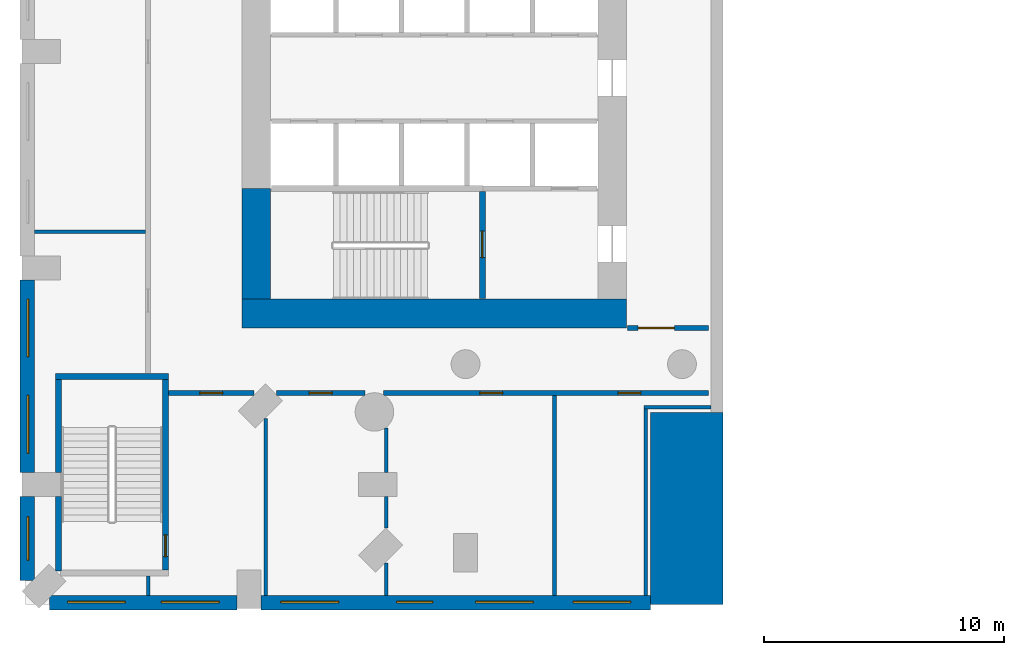
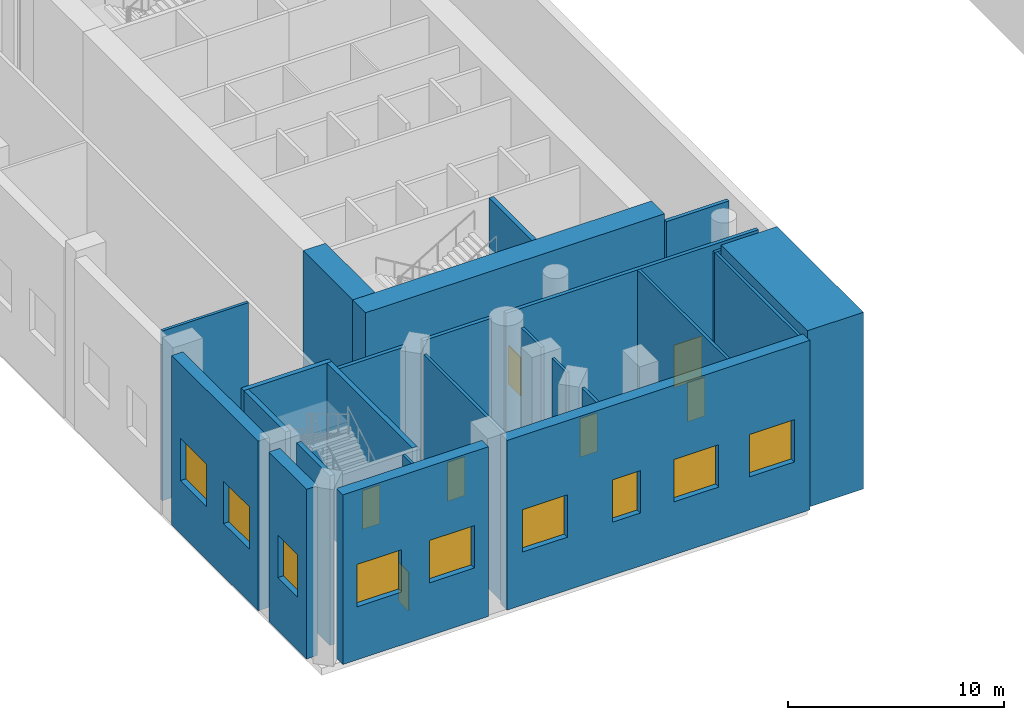
# One storey, part 2 of 17: 25 walls, 9 windows, 7 doors, 16 openings.
"""IFC4 building model written with IfcOpenShell, lengths in metres."""

from ifc_helpers import new_model, si_unit, direction, frame, frame_2d, origin, place, context, subcontext, project, spatial, rectangle, extrude, material, layer, layer_set, type_object, element, fill, save


model = new_model("IFC4")

# Units and contexts
model_context = context("Model", 3, precision=1e-05, world=origin(), true_north=direction((0.0, 1.0)))
body_context = subcontext(model_context, "Body", "Model", "MODEL_VIEW")
ifc_project = project(units=[si_unit("LENGTHUNIT", "METRE"), si_unit("AREAUNIT", "SQUARE_METRE"), si_unit("VOLUMEUNIT", "CUBIC_METRE"), si_unit("PLANEANGLEUNIT", "RADIAN"), si_unit("MASSUNIT", "GRAM", prefix="KILO")], contexts=[model_context])

# Site, building, storey
site_placement = place(None, origin())
site = spatial("IfcSite", under=ifc_project, at=site_placement, CompositionType="ELEMENT")
building_placement = place(site_placement, origin())
building = spatial("IfcBuilding", under=site, at=building_placement, Name="Cypress Arch Tower", CompositionType="ELEMENT")
storey_placement = place(building_placement, frame((0.0, 0.0, 19.0)))
storey = spatial("IfcBuildingStorey", under=building, at=storey_placement, Name="L02", CompositionType="ELEMENT", Elevation=19.0)

# Wall, openings, windows
ifc_material_1 = material(Name="Brick (red buff blend) on blockwork backing", Category="masonry")
ifc_layer_1 = layer(ifc_material_1, 0.60009765625)
ifc_layer_set_1 = layer_set([ifc_layer_1], Name="Brick base wall BW600")
wall_type_1 = type_object("IfcWallType", Name="Brick base wall BW600", PredefinedType="ELEMENTEDWALL", material=ifc_layer_set_1)
wall_1_placement = place(storey_placement, frame((-37.992919921875, -27.425048828125, 0.0), z_axis=(0.0, 0.0, 1.0), x_axis=(1.0, 0.0, 0.0)))
wall_1 = element("IfcWall", 1, at=wall_1_placement, inside=storey, type_object=wall_type_1, Name="Brick wall L02 P00.0", PredefinedType="ELEMENTEDWALL", context=body_context, shape_type="SweptSolid", body=[
    extrude(rectangle(XDim=7.79296875, YDim=0.60009765625, at=frame_2d((3.896484375, 0.0))), origin(), (0.0, 0.0, 1.0), 9.60009765625),
])
opening_1_placement = place(wall_1_placement, frame((0.748291015625, 0.0, 3.0)))
opening_1 = element("IfcOpeningElement", 2, at=opening_1_placement, cuts=wall_1, Name="Opening W240P", PredefinedType="OPENING", context=body_context, shape_type="SweptSolid", body=[
    extrude(rectangle(XDim=2.39990234375, YDim=2.39990234375, at=frame_2d((1.199951171875, 1.199951171875))), frame((0.0, 0.31005859375, 0.0), z_axis=(0.0, -1.0, 0.0), x_axis=(1.0, 0.0, 0.0)), (0.0, 0.0, 1.0), 0.6201171875),
])
opening_2_placement = place(wall_1_placement, frame((4.644775390625, 0.0, 3.0)))
opening_2 = element("IfcOpeningElement", 3, at=opening_2_placement, cuts=wall_1, Name="Opening W240P", PredefinedType="OPENING", context=body_context, shape_type="SweptSolid", body=[
    extrude(rectangle(XDim=2.39990234375, YDim=2.39990234375, at=frame_2d((1.199951171875, 1.199951171875))), frame((0.0, 0.31005859375, 0.0), z_axis=(0.0, -1.0, 0.0), x_axis=(1.0, 0.0, 0.0)), (0.0, 0.0, 1.0), 0.6201171875),
])
ifc_material_2 = material(Name="Anodised aluminium, bronze finish, clear low-emissivity double glazing", Category="aluminium")
window_type_1 = type_object("IfcWindowType", Name="Window Podium 2400x2400", PartitioningType="SINGLE_PANEL", PredefinedType="WINDOW", material=ifc_material_2)
window_1_placement = place(opening_1_placement, origin())
window_1 = element("IfcWindow", 4, at=window_1_placement, inside=storey, type_object=window_type_1, Name="Window L02 P00.0.1", OverallHeight=2.39990234375, OverallWidth=2.39990234375, PartitioningType="SINGLE_PANEL", PredefinedType="WINDOW", context=body_context, shape_type="SweptSolid", body=[
    extrude(rectangle(XDim=2.39990234375, YDim=2.39990234375, at=frame_2d((1.199951171875, 1.199951171875))), frame((0.0, 0.06005859375, 0.0), z_axis=(0.0, -1.0, 0.0), x_axis=(1.0, 0.0, 0.0)), (0.0, 0.0, 1.0), 0.06005859375),
])
fill(opening_1, window_1)
window_2_placement = place(opening_2_placement, origin())
window_2 = element("IfcWindow", 5, at=window_2_placement, inside=storey, type_object=window_type_1, Name="Window L02 P00.0.2", OverallHeight=2.39990234375, OverallWidth=2.39990234375, PartitioningType="SINGLE_PANEL", PredefinedType="WINDOW", context=body_context, shape_type="SweptSolid", body=[
    extrude(rectangle(XDim=2.39990234375, YDim=2.39990234375, at=frame_2d((1.199951171875, 1.199951171875))), frame((0.0, 0.06005859375, 0.0), z_axis=(0.0, -1.0, 0.0), x_axis=(1.0, 0.0, 0.0)), (0.0, 0.0, 1.0), 0.06005859375),
])
fill(opening_2, window_2)

wall_2_placement = place(storey_placement, frame((-29.199951171875, -27.425048828125, 0.0), z_axis=(0.0, 0.0, 1.0), x_axis=(1.0, 0.0, 0.0)))
wall_2 = element("IfcWall", 6, at=wall_2_placement, inside=storey, type_object=wall_type_1, Name="Brick wall L02 P00.1", PredefinedType="ELEMENTEDWALL", context=body_context, shape_type="SweptSolid", body=[
    extrude(rectangle(XDim=16.199951171875, YDim=0.60009765625, at=frame_2d((8.10009765625, 0.0))), origin(), (0.0, 0.0, 1.0), 9.60009765625),
])
opening_3_placement = place(wall_2_placement, frame((0.824951171875, 0.0, 3.0)))
opening_3 = element("IfcOpeningElement", 7, at=opening_3_placement, cuts=wall_2, Name="Opening W240P", PredefinedType="OPENING", context=body_context, shape_type="SweptSolid", body=[
    extrude(rectangle(XDim=2.39990234375, YDim=2.39990234375, at=frame_2d((1.199951171875, 1.199951171875))), frame((0.0, 0.31005859375, 0.0), z_axis=(0.0, -1.0, 0.0), x_axis=(1.0, 0.0, 0.0)), (0.0, 0.0, 1.0), 0.6201171875),
])
opening_4_placement = place(wall_2_placement, frame((8.925048828125, 0.0, 3.0)))
opening_4 = element("IfcOpeningElement", 8, at=opening_4_placement, cuts=wall_2, Name="Opening W240P", PredefinedType="OPENING", context=body_context, shape_type="SweptSolid", body=[
    extrude(rectangle(XDim=2.39990234375, YDim=2.39990234375, at=frame_2d((1.199951171875, 1.199951171875))), frame((0.0, 0.31005859375, 0.0), z_axis=(0.0, -1.0, 0.0), x_axis=(1.0, 0.0, 0.0)), (0.0, 0.0, 1.0), 0.6201171875),
])
opening_5_placement = place(wall_2_placement, frame((12.97509765625, 0.0, 3.0)))
opening_5 = element("IfcOpeningElement", 9, at=opening_5_placement, cuts=wall_2, Name="Opening W240P", PredefinedType="OPENING", context=body_context, shape_type="SweptSolid", body=[
    extrude(rectangle(XDim=2.39990234375, YDim=2.39990234375, at=frame_2d((1.199951171875, 1.199951171875))), frame((0.0, 0.31005859375, 0.0), z_axis=(0.0, -1.0, 0.0), x_axis=(1.0, 0.0, 0.0)), (0.0, 0.0, 1.0), 0.6201171875),
])
opening_6_placement = place(wall_2_placement, frame((5.637451171875, 0.0, 3.0)))
opening_6 = element("IfcOpeningElement", 10, at=opening_6_placement, cuts=wall_2, Name="Opening W150P", PredefinedType="OPENING", context=body_context, shape_type="SweptSolid", body=[
    extrude(rectangle(XDim=1.5, YDim=2.39990234375, at=frame_2d((0.75, 1.199951171875))), frame((0.0, 0.31005859375, 0.0), z_axis=(0.0, -1.0, 0.0), x_axis=(1.0, 0.0, 0.0)), (0.0, 0.0, 1.0), 0.6201171875),
])
ifc_material_3 = material(Name="Anodised aluminium, bronze finish, clear low-emissivity double glazing", Category="aluminium")
window_type_2 = type_object("IfcWindowType", Name="Window Podium 1500x2400", PartitioningType="SINGLE_PANEL", PredefinedType="WINDOW", material=ifc_material_3)
window_3_placement = place(opening_6_placement, origin())
window_3 = element("IfcWindow", 11, at=window_3_placement, inside=storey, type_object=window_type_2, Name="Window L02 P00.1.2", OverallHeight=2.39990234375, OverallWidth=1.5, PartitioningType="SINGLE_PANEL", PredefinedType="WINDOW", context=body_context, shape_type="SweptSolid", body=[
    extrude(rectangle(XDim=1.5, YDim=2.39990234375, at=frame_2d((0.75, 1.199951171875))), frame((0.0, 0.06005859375, 0.0), z_axis=(0.0, -1.0, 0.0), x_axis=(1.0, 0.0, 0.0)), (0.0, 0.0, 1.0), 0.06005859375),
])
fill(opening_6, window_3)
window_4_placement = place(opening_3_placement, origin())
window_4 = element("IfcWindow", 12, at=window_4_placement, inside=storey, type_object=window_type_1, Name="Window L02 P00.1.1", OverallHeight=2.39990234375, OverallWidth=2.39990234375, PartitioningType="SINGLE_PANEL", PredefinedType="WINDOW", context=body_context, shape_type="SweptSolid", body=[
    extrude(rectangle(XDim=2.39990234375, YDim=2.39990234375, at=frame_2d((1.199951171875, 1.199951171875))), frame((0.0, 0.06005859375, 0.0), z_axis=(0.0, -1.0, 0.0), x_axis=(1.0, 0.0, 0.0)), (0.0, 0.0, 1.0), 0.06005859375),
])
fill(opening_3, window_4)
window_5_placement = place(opening_4_placement, origin())
window_5 = element("IfcWindow", 13, at=window_5_placement, inside=storey, type_object=window_type_1, Name="Window L02 P00.1.3", OverallHeight=2.39990234375, OverallWidth=2.39990234375, PartitioningType="SINGLE_PANEL", PredefinedType="WINDOW", context=body_context, shape_type="SweptSolid", body=[
    extrude(rectangle(XDim=2.39990234375, YDim=2.39990234375, at=frame_2d((1.199951171875, 1.199951171875))), frame((0.0, 0.06005859375, 0.0), z_axis=(0.0, -1.0, 0.0), x_axis=(1.0, 0.0, 0.0)), (0.0, 0.0, 1.0), 0.06005859375),
])
fill(opening_4, window_5)
window_6_placement = place(opening_5_placement, origin())
window_6 = element("IfcWindow", 14, at=window_6_placement, inside=storey, type_object=window_type_1, Name="Window L02 P00.1.4", OverallHeight=2.39990234375, OverallWidth=2.39990234375, PartitioningType="SINGLE_PANEL", PredefinedType="WINDOW", context=body_context, shape_type="SweptSolid", body=[
    extrude(rectangle(XDim=2.39990234375, YDim=2.39990234375, at=frame_2d((1.199951171875, 1.199951171875))), frame((0.0, 0.06005859375, 0.0), z_axis=(0.0, -1.0, 0.0), x_axis=(1.0, 0.0, 0.0)), (0.0, 0.0, 1.0), 0.06005859375),
])
fill(opening_5, window_6)

wall_3_placement = place(storey_placement, frame((-38.925048828125, -14.0, 0.0), z_axis=(0.0, 0.0, 1.0), x_axis=(0.0, -1.0, 0.0)))
wall_3 = element("IfcWall", 15, at=wall_3_placement, inside=storey, type_object=wall_type_1, Name="Brick wall L02 P04.5", PredefinedType="ELEMENTEDWALL", context=body_context, shape_type="SweptSolid", body=[
    extrude(rectangle(XDim=8.0, YDim=0.60009765625, at=frame_2d((4.0, 0.0))), origin(), (0.0, 0.0, 1.0), 9.60009765625),
])
opening_7_placement = place(wall_3_placement, frame((0.800048828125, 0.0, 3.0)))
opening_7 = element("IfcOpeningElement", 16, at=opening_7_placement, cuts=wall_3, Name="Opening W240P", PredefinedType="OPENING", context=body_context, shape_type="SweptSolid", body=[
    extrude(rectangle(XDim=2.39990234375, YDim=2.39990234375, at=frame_2d((1.199951171875, 1.199951171875))), frame((0.0, 0.31005859375, 0.0), z_axis=(0.0, -1.0, 0.0), x_axis=(1.0, 0.0, 0.0)), (0.0, 0.0, 1.0), 0.6201171875),
])
opening_8_placement = place(wall_3_placement, frame((4.800048828125, 0.0, 3.0)))
opening_8 = element("IfcOpeningElement", 17, at=opening_8_placement, cuts=wall_3, Name="Opening W240P", PredefinedType="OPENING", context=body_context, shape_type="SweptSolid", body=[
    extrude(rectangle(XDim=2.39990234375, YDim=2.39990234375, at=frame_2d((1.199951171875, 1.199951171875))), frame((0.0, 0.31005859375, 0.0), z_axis=(0.0, -1.0, 0.0), x_axis=(1.0, 0.0, 0.0)), (0.0, 0.0, 1.0), 0.6201171875),
])
window_7_placement = place(opening_7_placement, origin())
window_7 = element("IfcWindow", 18, at=window_7_placement, inside=storey, type_object=window_type_1, Name="Window L02 P04.5.1", OverallHeight=2.39990234375, OverallWidth=2.39990234375, PartitioningType="SINGLE_PANEL", PredefinedType="WINDOW", context=body_context, shape_type="SweptSolid", body=[
    extrude(rectangle(XDim=2.39990234375, YDim=2.39990234375, at=frame_2d((1.199951171875, 1.199951171875))), frame((0.0, 0.06005859375, 0.0), z_axis=(0.0, -1.0, 0.0), x_axis=(1.0, 0.0, 0.0)), (0.0, 0.0, 1.0), 0.06005859375),
])
fill(opening_7, window_7)
window_8_placement = place(opening_8_placement, origin())
window_8 = element("IfcWindow", 19, at=window_8_placement, inside=storey, type_object=window_type_1, Name="Window L02 P04.5.2", OverallHeight=2.39990234375, OverallWidth=2.39990234375, PartitioningType="SINGLE_PANEL", PredefinedType="WINDOW", context=body_context, shape_type="SweptSolid", body=[
    extrude(rectangle(XDim=2.39990234375, YDim=2.39990234375, at=frame_2d((1.199951171875, 1.199951171875))), frame((0.0, 0.06005859375, 0.0), z_axis=(0.0, -1.0, 0.0), x_axis=(1.0, 0.0, 0.0)), (0.0, 0.0, 1.0), 0.06005859375),
])
fill(opening_8, window_8)

# Wall, opening, window
wall_4_placement = place(storey_placement, frame((-38.925048828125, -23.0, 0.0), z_axis=(0.0, 0.0, 1.0), x_axis=(0.0, -1.0, 0.0)))
wall_4 = element("IfcWall", 20, at=wall_4_placement, inside=storey, type_object=wall_type_1, Name="Brick wall L02 P04.6", PredefinedType="ELEMENTEDWALL", context=body_context, shape_type="SweptSolid", body=[
    extrude(rectangle(XDim=3.492919921875, YDim=0.60009765625, at=frame_2d((1.74658203125, 0.0))), origin(), (0.0, 0.0, 1.0), 9.60009765625),
])
opening_9_placement = place(wall_4_placement, frame((0.846435546875, 0.0, 3.0)))
opening_9 = element("IfcOpeningElement", 21, at=opening_9_placement, cuts=wall_4, Name="Opening W180P", PredefinedType="OPENING", context=body_context, shape_type="SweptSolid", body=[
    extrude(rectangle(XDim=1.800048828125, YDim=2.39990234375, at=frame_2d((0.89990234375, 1.199951171875))), frame((0.0, 0.31005859375, 0.0), z_axis=(0.0, -1.0, 0.0), x_axis=(1.0, 0.0, 0.0)), (0.0, 0.0, 1.0), 0.6201171875),
])
ifc_material_4 = material(Name="Anodised aluminium, bronze finish, clear low-emissivity double glazing", Category="aluminium")
window_type_3 = type_object("IfcWindowType", Name="Window Podium 1800x2400", PartitioningType="SINGLE_PANEL", PredefinedType="WINDOW", material=ifc_material_4)
window_9_placement = place(opening_9_placement, origin())
window_9 = element("IfcWindow", 22, at=window_9_placement, inside=storey, type_object=window_type_3, Name="Window L02 P04.6.1", OverallHeight=2.39990234375, OverallWidth=1.800048828125, PartitioningType="SINGLE_PANEL", PredefinedType="WINDOW", context=body_context, shape_type="SweptSolid", body=[
    extrude(rectangle(XDim=1.800048828125, YDim=2.39990234375, at=frame_2d((0.89990234375, 1.199951171875))), frame((0.0, 0.06005859375, 0.0), z_axis=(0.0, -1.0, 0.0), x_axis=(1.0, 0.0, 0.0)), (0.0, 0.0, 1.0), 0.06005859375),
])
fill(opening_9, window_9)

# Walls
ifc_material_5 = material(Name="Concrete C80/95", Category="concrete")
ifc_layer_2 = layer(ifc_material_5, 1.199951171875)
ifc_layer_set_2 = layer_set([ifc_layer_2], Name="Core wall CW1200 C80/95")
wall_type_2 = type_object("IfcWallType", Name="Core wall CW1200 C80/95", PredefinedType="SHEAR", material=ifc_layer_set_2)
wall_5_placement = place(storey_placement, frame((-30.0, -15.39990234375, 0.0), z_axis=(0.0, 0.0, 1.0), x_axis=(1.0, 0.0, 0.0)))
element("IfcWall", 23, at=wall_5_placement, inside=storey, type_object=wall_type_2, Name="Core wall", PredefinedType="SHEAR", context=body_context, shape_type="SweptSolid", body=[
    extrude(rectangle(XDim=16.0, YDim=1.199951171875, at=frame_2d((8.0, 0.0))), origin(), (0.0, 0.0, 1.0), 10.0),
])
wall_6_placement = place(storey_placement, frame((-29.39990234375, -14.800048828125, 0.0), z_axis=(0.0, 0.0, 1.0), x_axis=(0.0, 1.0, 0.0)))
element("IfcWall", 24, at=wall_6_placement, inside=storey, type_object=wall_type_2, Name="Core wall", PredefinedType="SHEAR", context=body_context, shape_type="SweptSolid", body=[
    extrude(rectangle(XDim=4.60009765625, YDim=1.199951171875, at=frame_2d((2.300048828125, 0.0))), origin(), (0.0, 0.0, 1.0), 10.0),
])

# Wall, opening, door
ifc_material_6 = material(Name="Concrete blockwork, plastered, rated", Category="masonry")
ifc_layer_3 = layer(ifc_material_6, 0.199951171875)
ifc_layer_set_3 = layer_set([ifc_layer_3], Name="Corridor wall FW200")
wall_type_3 = type_object("IfcWallType", Name="Corridor wall FW200", PredefinedType="PARTITIONING", material=ifc_layer_set_3)
wall_7_placement = place(storey_placement, frame((-33.050048828125, -18.699951171875, 0.0), z_axis=(0.0, 0.0, 1.0), x_axis=(1.0, 0.0, 0.0)))
wall_7 = element("IfcWall", 25, at=wall_7_placement, inside=storey, type_object=wall_type_3, Name="Corridor wall", PredefinedType="PARTITIONING", context=body_context, shape_type="SweptSolid", body=[
    extrude(rectangle(XDim=3.56298828125, YDim=0.199951171875, at=frame_2d((1.781494140625, 0.0))), origin(), (0.0, 0.0, 1.0), 9.597900390625),
])
opening_10_placement = place(wall_7_placement, frame((1.300048828125, 0.0, 0.0)))
opening_10 = element("IfcOpeningElement", 26, at=opening_10_placement, cuts=wall_7, Name="Opening D02", PredefinedType="OPENING", context=body_context, shape_type="SweptSolid", body=[
    extrude(rectangle(XDim=0.949951171875, YDim=2.199951171875, at=frame_2d((0.47509765625, 1.10009765625))), frame((0.0, 0.10986328125, 0.0), z_axis=(0.0, -1.0, 0.0), x_axis=(1.0, 0.0, 0.0)), (0.0, 0.0, 1.0), 0.219970703125),
])
ifc_material_7 = material(Name="Timber flush door, fire resisting", Category="wood")
door_type_1 = type_object("IfcDoorType", Name="Room door D02 950x2200", OperationType="SINGLE_SWING_LEFT", PredefinedType="DOOR", material=ifc_material_7)
door_1_placement = place(opening_10_placement, origin())
door_1 = element("IfcDoor", 27, at=door_1_placement, inside=storey, type_object=door_type_1, Name="Room door", OperationType="SINGLE_SWING_LEFT", OverallHeight=2.199951171875, OverallWidth=0.949951171875, PredefinedType="DOOR", context=body_context, shape_type="SweptSolid", body=[
    extrude(rectangle(XDim=0.949951171875, YDim=2.199951171875, at=frame_2d((0.47509765625, 1.10009765625))), frame((0.0, 0.02490234375, 0.0), z_axis=(0.0, -1.0, 0.0), x_axis=(1.0, 0.0, 0.0)), (0.0, 0.0, 1.0), 0.050048828125),
])
fill(opening_10, door_1)

wall_8_placement = place(storey_placement, frame((-28.550048828125, -18.699951171875, 0.0), z_axis=(0.0, 0.0, 1.0), x_axis=(1.0, 0.0, 0.0)))
wall_8 = element("IfcWall", 28, at=wall_8_placement, inside=storey, type_object=wall_type_3, Name="Corridor wall", PredefinedType="PARTITIONING", context=body_context, shape_type="SweptSolid", body=[
    extrude(rectangle(XDim=3.678955078125, YDim=0.199951171875, at=frame_2d((1.83935546875, 0.0))), origin(), (0.0, 0.0, 1.0), 9.597900390625),
])
opening_11_placement = place(wall_8_placement, frame((1.35009765625, 0.0, 0.0)))
opening_11 = element("IfcOpeningElement", 29, at=opening_11_placement, cuts=wall_8, Name="Opening D02", PredefinedType="OPENING", context=body_context, shape_type="SweptSolid", body=[
    extrude(rectangle(XDim=0.949951171875, YDim=2.199951171875, at=frame_2d((0.47509765625, 1.10009765625))), frame((0.0, 0.10986328125, 0.0), z_axis=(0.0, -1.0, 0.0), x_axis=(1.0, 0.0, 0.0)), (0.0, 0.0, 1.0), 0.219970703125),
])
door_2_placement = place(opening_11_placement, origin())
door_2 = element("IfcDoor", 30, at=door_2_placement, inside=storey, type_object=door_type_1, Name="Room door", OperationType="SINGLE_SWING_LEFT", OverallHeight=2.199951171875, OverallWidth=0.949951171875, PredefinedType="DOOR", context=body_context, shape_type="SweptSolid", body=[
    extrude(rectangle(XDim=0.949951171875, YDim=2.199951171875, at=frame_2d((0.47509765625, 1.10009765625))), frame((0.0, 0.02490234375, 0.0), z_axis=(0.0, -1.0, 0.0), x_axis=(1.0, 0.0, 0.0)), (0.0, 0.0, 1.0), 0.050048828125),
])
fill(opening_11, door_2)

# Wall, openings, doors
wall_9_placement = place(storey_placement, frame((-24.104736328125, -18.699951171875, 0.0), z_axis=(0.0, 0.0, 1.0), x_axis=(1.0, 0.0, 0.0)))
wall_9 = element("IfcWall", 31, at=wall_9_placement, inside=storey, type_object=wall_type_3, Name="Corridor wall", PredefinedType="PARTITIONING", context=body_context, shape_type="SweptSolid", body=[
    extrude(rectangle(XDim=13.504638671875, YDim=0.199951171875, at=frame_2d((6.75244140625, 0.0))), origin(), (0.0, 0.0, 1.0), 9.597900390625),
])
opening_12_placement = place(wall_9_placement, frame((4.0, 0.0, 0.0)))
opening_12 = element("IfcOpeningElement", 32, at=opening_12_placement, cuts=wall_9, Name="Opening D02", PredefinedType="OPENING", context=body_context, shape_type="SweptSolid", body=[
    extrude(rectangle(XDim=0.949951171875, YDim=2.199951171875, at=frame_2d((0.47509765625, 1.10009765625))), frame((0.0, 0.10986328125, 0.0), z_axis=(0.0, -1.0, 0.0), x_axis=(1.0, 0.0, 0.0)), (0.0, 0.0, 1.0), 0.219970703125),
])
opening_13_placement = place(wall_9_placement, frame((9.75, 0.0, 0.0)))
opening_13 = element("IfcOpeningElement", 33, at=opening_13_placement, cuts=wall_9, Name="Opening D02", PredefinedType="OPENING", context=body_context, shape_type="SweptSolid", body=[
    extrude(rectangle(XDim=0.949951171875, YDim=2.199951171875, at=frame_2d((0.47509765625, 1.10009765625))), frame((0.0, 0.10986328125, 0.0), z_axis=(0.0, -1.0, 0.0), x_axis=(1.0, 0.0, 0.0)), (0.0, 0.0, 1.0), 0.219970703125),
])
door_3_placement = place(opening_12_placement, origin())
door_3 = element("IfcDoor", 34, at=door_3_placement, inside=storey, type_object=door_type_1, Name="Room door", OperationType="SINGLE_SWING_LEFT", OverallHeight=2.199951171875, OverallWidth=0.949951171875, PredefinedType="DOOR", context=body_context, shape_type="SweptSolid", body=[
    extrude(rectangle(XDim=0.949951171875, YDim=2.199951171875, at=frame_2d((0.47509765625, 1.10009765625))), frame((0.0, 0.02490234375, 0.0), z_axis=(0.0, -1.0, 0.0), x_axis=(1.0, 0.0, 0.0)), (0.0, 0.0, 1.0), 0.050048828125),
])
fill(opening_12, door_3)
door_4_placement = place(opening_13_placement, origin())
door_4 = element("IfcDoor", 35, at=door_4_placement, inside=storey, type_object=door_type_1, Name="Room door", OperationType="SINGLE_SWING_RIGHT", OverallHeight=2.199951171875, OverallWidth=0.949951171875, PredefinedType="DOOR", context=body_context, shape_type="SweptSolid", body=[
    extrude(rectangle(XDim=0.949951171875, YDim=2.199951171875, at=frame_2d((0.47509765625, 1.10009765625))), frame((0.0, 0.02490234375, 0.0), z_axis=(0.0, -1.0, 0.0), x_axis=(1.0, 0.0, 0.0)), (0.0, 0.0, 1.0), 0.050048828125),
])
fill(opening_13, door_4)

# Wall, opening, door
wall_10_placement = place(storey_placement, frame((-13.969970703125, -16.0, 0.0), z_axis=(0.0, 0.0, 1.0), x_axis=(1.0, 0.0, 0.0)))
wall_10 = element("IfcWall", 36, at=wall_10_placement, inside=storey, type_object=wall_type_3, Name="Corridor wall", PredefinedType="PARTITIONING", context=body_context, shape_type="SweptSolid", body=[
    extrude(rectangle(XDim=3.369873046875, YDim=0.199951171875, at=frame_2d((1.68505859375, 0.0))), origin(), (0.0, 0.0, 1.0), 9.597900390625),
])
opening_14_placement = place(wall_10_placement, frame((0.449951171875, 0.0, 0.0)))
opening_14 = element("IfcOpeningElement", 37, at=opening_14_placement, cuts=wall_10, Name="Opening D07", PredefinedType="OPENING", context=body_context, shape_type="SweptSolid", body=[
    extrude(rectangle(XDim=1.5, YDim=2.39990234375, at=frame_2d((0.75, 1.199951171875))), frame((0.0, 0.10986328125, 0.0), z_axis=(0.0, -1.0, 0.0), x_axis=(1.0, 0.0, 0.0)), (0.0, 0.0, 1.0), 0.219970703125),
])
ifc_material_8 = material(Name="Steel framed glazed door, fire resisting", Category="steel")
door_type_2 = type_object("IfcDoorType", Name="Lobby door D07 1500x2400", OperationType="DOUBLE_DOOR_SINGLE_SWING", PredefinedType="DOOR", material=ifc_material_8)
door_5_placement = place(opening_14_placement, origin())
door_5 = element("IfcDoor", 38, at=door_5_placement, inside=storey, type_object=door_type_2, Name="Lobby door", OperationType="DOUBLE_DOOR_SINGLE_SWING", OverallHeight=2.39990234375, OverallWidth=1.5, PredefinedType="DOOR", context=body_context, shape_type="SweptSolid", body=[
    extrude(rectangle(XDim=1.5, YDim=2.39990234375, at=frame_2d((0.75, 1.199951171875))), frame((0.0, 0.02490234375, 0.0), z_axis=(0.0, -1.0, 0.0), x_axis=(1.0, 0.0, 0.0)), (0.0, 0.0, 1.0), 0.050048828125),
])
fill(opening_14, door_5)

# Walls
ifc_material_9 = material(Name="Blockwork, plastered both sides", Category="masonry")
ifc_layer_4 = layer(ifc_material_9, 0.14990234375)
ifc_layer_set_4 = layer_set([ifc_layer_4], Name="Partition PW150")
wall_type_4 = type_object("IfcWallType", Name="Partition PW150", PredefinedType="PARTITIONING", material=ifc_layer_set_4)
wall_11_placement = place(storey_placement, frame((-38.625, -12.0, 0.0), z_axis=(0.0, 0.0, 1.0), x_axis=(1.0, 0.0, 0.0)))
element("IfcWall", 39, at=wall_11_placement, inside=storey, type_object=wall_type_4, Name="Partition", PredefinedType="PARTITIONING", context=body_context, shape_type="SweptSolid", body=[
    extrude(rectangle(XDim=4.625, YDim=0.14990234375, at=frame_2d((2.3125, 0.0))), origin(), (0.0, 0.0, 1.0), 9.597900390625),
])
wall_12_placement = place(storey_placement, frame((-33.89990234375, -27.125, 0.0), z_axis=(0.0, 0.0, 1.0), x_axis=(0.0, 1.0, 0.0)))
element("IfcWall", 40, at=wall_12_placement, inside=storey, type_object=wall_type_4, Name="Partition", PredefinedType="PARTITIONING", context=body_context, shape_type="SweptSolid", body=[
    extrude(rectangle(XDim=0.824951171875, YDim=0.14990234375, at=frame_2d((0.41259765625, 0.0))), origin(), (0.0, 0.0, 1.0), 9.597900390625),
])
wall_13_placement = place(storey_placement, frame((-29.0, -27.125, 0.0), z_axis=(0.0, 0.0, 1.0), x_axis=(0.0, 1.0, 0.0)))
element("IfcWall", 41, at=wall_13_placement, inside=storey, type_object=wall_type_4, Name="Partition", PredefinedType="PARTITIONING", context=body_context, shape_type="SweptSolid", body=[
    extrude(rectangle(XDim=7.35791015625, YDim=0.14990234375, at=frame_2d((3.678955078125, 0.0))), origin(), (0.0, 0.0, 1.0), 9.597900390625),
])
wall_14_placement = place(storey_placement, frame((-24.0, -27.125, 0.0), z_axis=(0.0, 0.0, 1.0), x_axis=(0.0, 1.0, 0.0)))
element("IfcWall", 42, at=wall_14_placement, inside=storey, type_object=wall_type_4, Name="Partition", PredefinedType="PARTITIONING", context=body_context, shape_type="SweptSolid", body=[
    extrude(rectangle(XDim=1.35791015625, YDim=0.14990234375, at=frame_2d((0.678955078125, 0.0))), origin(), (0.0, 0.0, 1.0), 9.597900390625),
])
wall_15_placement = place(storey_placement, frame((-24.0, -24.320068359375, 0.0), z_axis=(0.0, 0.0, 1.0), x_axis=(0.0, 1.0, 0.0)))
element("IfcWall", 43, at=wall_15_placement, inside=storey, type_object=wall_type_4, Name="Partition", PredefinedType="PARTITIONING", context=body_context, shape_type="SweptSolid", body=[
    extrude(rectangle(XDim=1.320068359375, YDim=0.14990234375, at=frame_2d((0.66015625, 0.0))), origin(), (0.0, 0.0, 1.0), 9.597900390625),
])
wall_16_placement = place(storey_placement, frame((-24.0, -22.0, 0.0), z_axis=(0.0, 0.0, 1.0), x_axis=(0.0, 1.0, 0.0)))
element("IfcWall", 44, at=wall_16_placement, inside=storey, type_object=wall_type_4, Name="Partition", PredefinedType="PARTITIONING", context=body_context, shape_type="SweptSolid", body=[
    extrude(rectangle(XDim=1.842529296875, YDim=0.14990234375, at=frame_2d((0.92138671875, 0.0))), origin(), (0.0, 0.0, 1.0), 9.597900390625),
])
wall_17_placement = place(storey_placement, frame((-17.0, -27.125, 0.0), z_axis=(0.0, 0.0, 1.0), x_axis=(0.0, 1.0, 0.0)))
element("IfcWall", 45, at=wall_17_placement, inside=storey, type_object=wall_type_4, Name="Partition", PredefinedType="PARTITIONING", context=body_context, shape_type="SweptSolid", body=[
    extrude(rectangle(XDim=8.324951171875, YDim=0.14990234375, at=frame_2d((4.16259765625, 0.0))), origin(), (0.0, 0.0, 1.0), 9.597900390625),
])
wall_18_placement = place(storey_placement, frame((-13.199951171875, -27.125, 0.0), z_axis=(0.0, 0.0, 1.0), x_axis=(0.0, 1.0, 0.0)))
element("IfcWall", 46, at=wall_18_placement, inside=storey, type_object=wall_type_4, Name="Partition", PredefinedType="PARTITIONING", context=body_context, shape_type="SweptSolid", body=[
    extrude(rectangle(XDim=7.75, YDim=0.14990234375, at=frame_2d((3.875, 0.0))), origin(), (0.0, 0.0, 1.0), 9.597900390625),
])
wall_19_placement = place(storey_placement, frame((-13.27490234375, -19.300048828125, 0.0), z_axis=(0.0, 0.0, 1.0), x_axis=(1.0, 0.0, 0.0)))
element("IfcWall", 47, at=wall_19_placement, inside=storey, type_object=wall_type_4, Name="Partition", PredefinedType="PARTITIONING", context=body_context, shape_type="SweptSolid", body=[
    extrude(rectangle(XDim=2.77490234375, YDim=0.14990234375, at=frame_2d((1.387451171875, 0.0))), origin(), (0.0, 0.0, 1.0), 9.597900390625),
])
ifc_material_10 = material(Name="Concrete C80/95", Category="concrete")
ifc_layer_5 = layer(ifc_material_10, 3.0)
ifc_layer_set_5 = layer_set([ifc_layer_5], Name="Pier wall 3000 Concrete C80/95")
wall_type_5 = type_object("IfcWallType", Name="Pier wall 3000 Concrete C80/95", PredefinedType="SOLIDWALL", material=ifc_layer_set_5)
wall_20_placement = place(storey_placement, frame((-11.5, -27.5, 0.0), z_axis=(0.0, 0.0, 1.0), x_axis=(0.0, 1.0, 0.0)))
element("IfcWall", 48, at=wall_20_placement, inside=storey, type_object=wall_type_5, Name="Gate pier wall PW-WS L02", PredefinedType="SOLIDWALL", context=body_context, shape_type="SweptSolid", body=[
    extrude(rectangle(XDim=8.0, YDim=3.0, at=frame_2d((4.0, 0.0))), origin(), (0.0, 0.0, 1.0), 10.0),
])
ifc_material_11 = material(Name="Concrete C50/60", Category="concrete")
ifc_layer_6 = layer(ifc_material_11, 0.25)
ifc_layer_set_6 = layer_set([ifc_layer_6], Name="Stair enclosure wall SW250")
wall_type_6 = type_object("IfcWallType", Name="Stair enclosure wall SW250", PredefinedType="SHEAR", material=ifc_layer_set_6)
wall_21_placement = place(storey_placement, frame((-37.625, -26.09521484375, 0.0), z_axis=(0.0, 0.0, 1.0), x_axis=(0.0, 1.0, 0.0)))
element("IfcWall", 49, at=wall_21_placement, inside=storey, type_object=wall_type_6, Name="Stair enclosure wall", PredefinedType="SHEAR", context=body_context, shape_type="SweptSolid", body=[
    extrude(rectangle(XDim=3.09521484375, YDim=0.25, at=frame_2d((1.547607421875, 0.0))), origin(), (0.0, 0.0, 1.0), 9.60009765625),
])
wall_22_placement = place(storey_placement, frame((-37.625, -22.0, 0.0), z_axis=(0.0, 0.0, 1.0), x_axis=(0.0, 1.0, 0.0)))
element("IfcWall", 50, at=wall_22_placement, inside=storey, type_object=wall_type_6, Name="Stair enclosure wall", PredefinedType="SHEAR", context=body_context, shape_type="SweptSolid", body=[
    extrude(rectangle(XDim=3.8701171875, YDim=0.25, at=frame_2d((1.93505859375, 0.0))), origin(), (0.0, 0.0, 1.0), 9.60009765625),
])
wall_23_placement = place(storey_placement, frame((-37.75, -18.0048828125, 0.0), z_axis=(0.0, 0.0, 1.0), x_axis=(1.0, 0.0, 0.0)))
element("IfcWall", 51, at=wall_23_placement, inside=storey, type_object=wall_type_6, Name="Stair enclosure wall", PredefinedType="SHEAR", context=body_context, shape_type="SweptSolid", body=[
    extrude(rectangle(XDim=4.699951171875, YDim=0.25, at=frame_2d((2.35009765625, 0.0))), origin(), (0.0, 0.0, 1.0), 9.60009765625),
])

# Wall, opening, door
wall_24_placement = place(storey_placement, frame((-33.175048828125, -26.050048828125, 0.0), z_axis=(0.0, 0.0, 1.0), x_axis=(0.0, 1.0, 0.0)))
wall_24 = element("IfcWall", 52, at=wall_24_placement, inside=storey, type_object=wall_type_6, Name="Stair enclosure wall", PredefinedType="SHEAR", context=body_context, shape_type="SweptSolid", body=[
    extrude(rectangle(XDim=7.920166015625, YDim=0.25, at=frame_2d((3.9599609375, 0.0))), origin(), (0.0, 0.0, 1.0), 9.60009765625),
])
opening_15_placement = place(wall_24_placement, frame((0.550048828125, 0.0, 0.0)))
opening_15 = element("IfcOpeningElement", 53, at=opening_15_placement, cuts=wall_24, Name="Opening D15", PredefinedType="OPENING", context=body_context, shape_type="SweptSolid", body=[
    extrude(rectangle(XDim=0.89990234375, YDim=2.199951171875, at=frame_2d((0.449951171875, 1.10009765625))), frame((0.0, 0.135009765625, 0.0), z_axis=(0.0, -1.0, 0.0), x_axis=(1.0, 0.0, 0.0)), (0.0, 0.0, 1.0), 0.27001953125),
])
ifc_material_12 = material(Name="Steel door, fire resisting, panic bar", Category="steel")
door_type_3 = type_object("IfcDoorType", Name="Stair door D15 900x2200", OperationType="SINGLE_SWING_LEFT", PredefinedType="DOOR", material=ifc_material_12)
door_6_placement = place(opening_15_placement, origin())
door_6 = element("IfcDoor", 54, at=door_6_placement, inside=storey, type_object=door_type_3, Name="Stair door", OperationType="SINGLE_SWING_LEFT", OverallHeight=2.199951171875, OverallWidth=0.89990234375, PredefinedType="DOOR", context=body_context, shape_type="SweptSolid", body=[
    extrude(rectangle(XDim=0.89990234375, YDim=2.199951171875, at=frame_2d((0.449951171875, 1.10009765625))), frame((0.0, 0.02490234375, 0.0), z_axis=(0.0, -1.0, 0.0), x_axis=(1.0, 0.0, 0.0)), (0.0, 0.0, 1.0), 0.050048828125),
])
fill(opening_15, door_6)

wall_25_placement = place(storey_placement, frame((-20.0, -14.77001953125, 0.0), z_axis=(0.0, 0.0, 1.0), x_axis=(0.0, 1.0, 0.0)))
wall_25 = element("IfcWall", 55, at=wall_25_placement, inside=storey, type_object=wall_type_6, Name="Stair enclosure wall", PredefinedType="SHEAR", context=body_context, shape_type="SweptSolid", body=[
    extrude(rectangle(XDim=4.445068359375, YDim=0.25, at=frame_2d((2.22265625, 0.0))), origin(), (0.0, 0.0, 1.0), 9.597900390625),
])
opening_16_placement = place(wall_25_placement, frame((1.699951171875, 0.0, 0.0)))
opening_16 = element("IfcOpeningElement", 56, at=opening_16_placement, cuts=wall_25, Name="Opening D06", PredefinedType="OPENING", context=body_context, shape_type="SweptSolid", body=[
    extrude(rectangle(XDim=1.10009765625, YDim=2.199951171875, at=frame_2d((0.550048828125, 1.10009765625))), frame((0.0, 0.135009765625, 0.0), z_axis=(0.0, -1.0, 0.0), x_axis=(1.0, 0.0, 0.0)), (0.0, 0.0, 1.0), 0.27001953125),
])
ifc_material_13 = material(Name="Steel door, fire resisting, panic bar", Category="steel")
door_type_4 = type_object("IfcDoorType", Name="Stair door D06 1100x2200", OperationType="SINGLE_SWING_LEFT", PredefinedType="DOOR", material=ifc_material_13)
door_7_placement = place(opening_16_placement, origin())
door_7 = element("IfcDoor", 57, at=door_7_placement, inside=storey, type_object=door_type_4, Name="Stair door", OperationType="SINGLE_SWING_RIGHT", OverallHeight=2.199951171875, OverallWidth=1.10009765625, PredefinedType="DOOR", context=body_context, shape_type="SweptSolid", body=[
    extrude(rectangle(XDim=1.10009765625, YDim=2.199951171875, at=frame_2d((0.550048828125, 1.10009765625))), frame((0.0, 0.02490234375, 0.0), z_axis=(0.0, -1.0, 0.0), x_axis=(1.0, 0.0, 0.0)), (0.0, 0.0, 1.0), 0.050048828125),
])
fill(opening_16, door_7)

save(model, "model.ifc")
